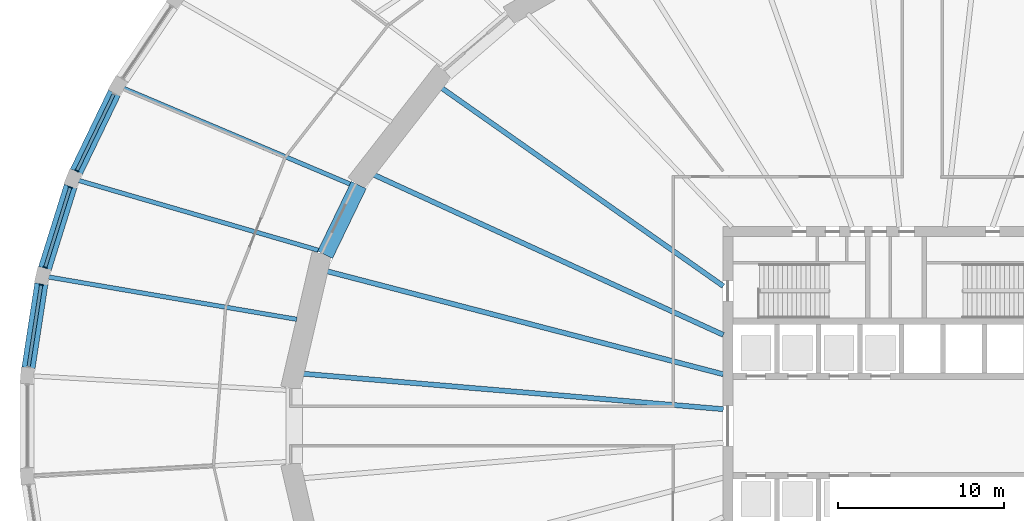
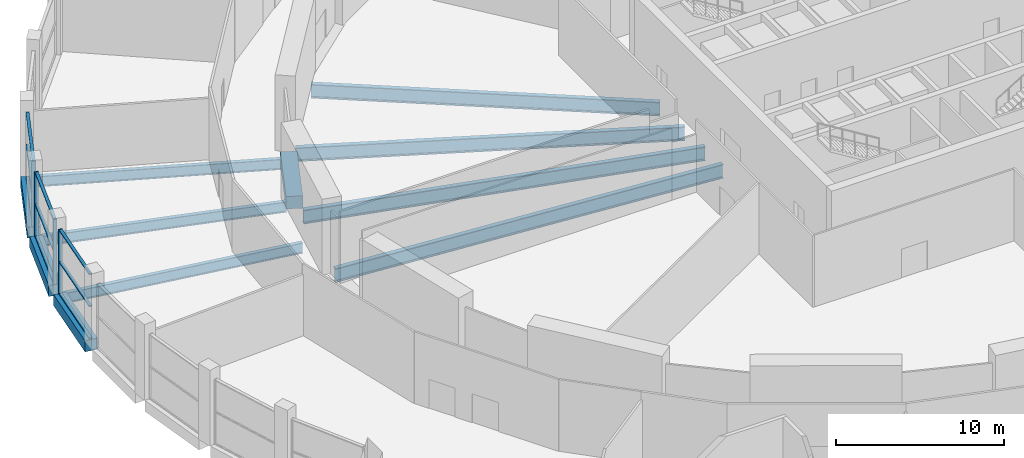
# One storey, part 6 of 26: 13 members, 11 beams, 3 elements without a shape of their own.
"""IFC4 building model written with IfcOpenShell, lengths in metres."""

from ifc_helpers import new_model, si_unit, direction, frame, origin, origin_2d, place, context, subcontext, project, spatial, rectangle, i_section, extrude, material, material_profile, profile_set, type_object, element, aggregate, save


model = new_model("IFC4")

# Units and contexts
model_context = context("Model", 3, precision=1e-05, world=origin(), true_north=direction((0.0, 1.0)))
body_context = subcontext(model_context, "Body", "Model", "MODEL_VIEW")
ifc_project = project(units=[si_unit("LENGTHUNIT", "METRE"), si_unit("AREAUNIT", "SQUARE_METRE"), si_unit("VOLUMEUNIT", "CUBIC_METRE"), si_unit("PLANEANGLEUNIT", "RADIAN"), si_unit("MASSUNIT", "GRAM", prefix="KILO")], contexts=[model_context])

# Site, building, storey
site_placement = place(None, origin())
site = spatial("IfcSite", under=ifc_project, at=site_placement, CompositionType="ELEMENT")
building_placement = place(site_placement, origin())
building = spatial("IfcBuilding", under=site, at=building_placement, Name="Halqa Exchange Tower", CompositionType="ELEMENT")
storey_placement = place(building_placement, frame((0.0, 0.0, 18.0)))
storey = spatial("IfcBuildingStorey", under=building, at=storey_placement, Name="L03", CompositionType="ELEMENT", Elevation=18.0)

# Curtain wall, member
ifc_material_1 = material(Name="Anodised aluminium and clear glass", Category="aluminium")
curtain_wall_type = type_object("IfcCurtainWallType", Name="Exchange hall glazing", PredefinedType="NOTDEFINED", material=ifc_material_1)
curtain_wall_1_placement = place(storey_placement, origin())
curtain_wall_1 = element("IfcCurtainWall", 1, at=curtain_wall_1_placement, inside=storey, type_object=curtain_wall_type, Name="Exchange hall glazing run P21", PredefinedType="NOTDEFINED")
ifc_material_2 = material(Name="Anodised aluminium", Category="aluminium")
ifc_material_profile_1 = material_profile(ifc_material_2, rectangle(XDim=0.25, YDim=0.070068359375, at=origin_2d()), Name="AL 70x250")
ifc_profile_set_1 = profile_set([ifc_material_profile_1], Name="Anodised aluminium")
member_type_1 = type_object("IfcMemberType", Name="Exchange hall glazing mullion 70 x 250", PredefinedType="MULLION", material=ifc_profile_set_1)
member_1_placement = place(storey_placement, frame((-50.9013671875, 15.3642578125, 0.0), z_axis=(0.0, 0.0, 1.0), x_axis=(0.90043534892, -0.434989864727, 0.0)))
member_1 = element("IfcMember", 2, at=member_1_placement, type_object=member_type_1, Name="P21 mullion 2", PredefinedType="MULLION", context=body_context, shape_type="SweptSolid", body=[
    extrude(rectangle(XDim=0.25, YDim=0.070068359375, at=origin_2d()), origin(), (0.0, 0.0, 1.0), 4.699951171875),
])

# Curtain wall, members
curtain_wall_2_placement = place(storey_placement, origin())
curtain_wall_2 = element("IfcCurtainWall", 3, at=curtain_wall_2_placement, inside=storey, type_object=curtain_wall_type, Name="Exchange hall glazing run P22", PredefinedType="NOTDEFINED")
member_2_placement = place(storey_placement, frame((-51.293701171875, 14.3720703125, 0.0), z_axis=(0.0, 0.0, 1.0), x_axis=(0.95447130463, -0.298302746613, 0.0)))
member_2 = element("IfcMember", 4, at=member_2_placement, type_object=member_type_1, Name="P22 mullion 1", PredefinedType="MULLION", context=body_context, shape_type="SweptSolid", body=[
    extrude(rectangle(XDim=0.25, YDim=0.070068359375, at=origin_2d()), origin(), (0.0, 0.0, 1.0), 4.699951171875),
])
member_3_placement = place(storey_placement, frame((-52.802978515625, 9.543212890625, 0.0), z_axis=(0.0, 0.0, 1.0), x_axis=(0.95447130463, -0.298302746613, 0.0)))
member_3 = element("IfcMember", 5, at=member_3_placement, type_object=member_type_1, Name="P22 mullion 2", PredefinedType="MULLION", context=body_context, shape_type="SweptSolid", body=[
    extrude(rectangle(XDim=0.25, YDim=0.070068359375, at=origin_2d()), origin(), (0.0, 0.0, 1.0), 4.699951171875),
])

# Curtain wall, member
curtain_wall_3_placement = place(storey_placement, origin())
curtain_wall_3 = element("IfcCurtainWall", 6, at=curtain_wall_3_placement, inside=storey, type_object=curtain_wall_type, Name="Exchange hall glazing run P23", PredefinedType="NOTDEFINED")
member_4_placement = place(storey_placement, frame((-53.043701171875, 8.50390625, 0.0), z_axis=(0.0, 0.0, 1.0), x_axis=(0.988416304241, -0.151766957898, 0.0)))
member_4 = element("IfcMember", 7, at=member_4_placement, type_object=member_type_1, Name="P23 mullion 1", PredefinedType="MULLION", context=body_context, shape_type="SweptSolid", body=[
    extrude(rectangle(XDim=0.25, YDim=0.070068359375, at=origin_2d()), origin(), (0.0, 0.0, 1.0), 4.699951171875),
])

# Member
ifc_material_profile_2 = material_profile(ifc_material_2, rectangle(XDim=0.199951171875, YDim=0.070068359375, at=origin_2d()), Name="AL 70x200")
ifc_profile_set_2 = profile_set([ifc_material_profile_2], Name="Anodised aluminium")
member_type_2 = type_object("IfcMemberType", Name="Exchange hall glazing transom 70 x 200", PredefinedType="USERDEFINED", material=ifc_profile_set_2)
member_5_placement = place(storey_placement, frame((-48.678955078125, 19.96484375, 0.034912109375), z_axis=(-0.434989893806, -0.900435334872, 0.0), x_axis=(0.900435334872, -0.434989893806, 0.0)))
member_5 = element("IfcMember", 8, at=member_5_placement, type_object=member_type_2, Name="P21 transom 1.1", ObjectType="TRANSOM", PredefinedType="USERDEFINED", context=body_context, shape_type="SweptSolid", body=[
    extrude(rectangle(XDim=0.199951171875, YDim=0.070068359375, at=origin_2d()), origin(), (0.0, 0.0, 1.0), 5.07421875),
])

member_6_placement = place(storey_placement, frame((-48.678955078125, 19.96484375, 2.35009765625), z_axis=(-0.434989893806, -0.900435334872, 0.0), x_axis=(0.900435334872, -0.434989893806, 0.0)))
member_6 = element("IfcMember", 9, at=member_6_placement, type_object=member_type_2, Name="P21 transom 1.2", ObjectType="TRANSOM", PredefinedType="USERDEFINED", context=body_context, shape_type="SweptSolid", body=[
    extrude(rectangle(XDim=0.199951171875, YDim=0.070068359375, at=origin_2d()), origin(), (0.0, 0.0, 1.0), 5.07421875),
])

member_7_placement = place(storey_placement, frame((-48.678955078125, 19.96484375, 4.6650390625), z_axis=(-0.434989893806, -0.900435334872, 0.0), x_axis=(0.900435334872, -0.434989893806, 0.0)))
member_7 = element("IfcMember", 10, at=member_7_placement, type_object=member_type_2, Name="P21 transom 1.3", ObjectType="TRANSOM", PredefinedType="USERDEFINED", context=body_context, shape_type="SweptSolid", body=[
    extrude(rectangle(XDim=0.199951171875, YDim=0.070068359375, at=origin_2d()), origin(), (0.0, 0.0, 1.0), 5.07421875),
])

aggregate(curtain_wall_1, [member_1, member_5, member_6, member_7])

member_8_placement = place(storey_placement, frame((-51.30419921875, 14.338623046875, 0.034912109375), z_axis=(-0.298305642444, -0.954470399586, 0.0), x_axis=(0.954470399586, -0.298305642444, 0.0)))
member_8 = element("IfcMember", 11, at=member_8_placement, type_object=member_type_2, Name="P22 transom 1.1", ObjectType="TRANSOM", PredefinedType="USERDEFINED", context=body_context, shape_type="SweptSolid", body=[
    extrude(rectangle(XDim=0.199951171875, YDim=0.070068359375, at=origin_2d()), origin(), (0.0, 0.0, 1.0), 4.989013671875),
])

member_9_placement = place(storey_placement, frame((-51.30419921875, 14.338623046875, 2.35009765625), z_axis=(-0.298305642444, -0.954470399586, 0.0), x_axis=(0.954470399586, -0.298305642444, 0.0)))
member_9 = element("IfcMember", 12, at=member_9_placement, type_object=member_type_2, Name="P22 transom 1.2", ObjectType="TRANSOM", PredefinedType="USERDEFINED", context=body_context, shape_type="SweptSolid", body=[
    extrude(rectangle(XDim=0.199951171875, YDim=0.070068359375, at=origin_2d()), origin(), (0.0, 0.0, 1.0), 4.989013671875),
])

member_10_placement = place(storey_placement, frame((-51.30419921875, 14.338623046875, 4.6650390625), z_axis=(-0.298305642444, -0.954470399586, 0.0), x_axis=(0.954470399586, -0.298305642444, 0.0)))
member_10 = element("IfcMember", 13, at=member_10_placement, type_object=member_type_2, Name="P22 transom 1.3", ObjectType="TRANSOM", PredefinedType="USERDEFINED", context=body_context, shape_type="SweptSolid", body=[
    extrude(rectangle(XDim=0.199951171875, YDim=0.070068359375, at=origin_2d()), origin(), (0.0, 0.0, 1.0), 4.989013671875),
])

aggregate(curtain_wall_2, [member_2, member_3, member_8, member_9, member_10])

member_11_placement = place(storey_placement, frame((-53.048828125, 8.46923828125, 0.034912109375), z_axis=(-0.151782076139, -0.988413982784, 0.0), x_axis=(0.988413982784, -0.151782076139, 0.0)))
member_11 = element("IfcMember", 14, at=member_11_placement, type_object=member_type_2, Name="P23 transom 1.1", ObjectType="TRANSOM", PredefinedType="USERDEFINED", context=body_context, shape_type="SweptSolid", body=[
    extrude(rectangle(XDim=0.199951171875, YDim=0.070068359375, at=origin_2d()), origin(), (0.0, 0.0, 1.0), 4.934814453125),
])

member_12_placement = place(storey_placement, frame((-53.048828125, 8.46923828125, 2.35009765625), z_axis=(-0.151782076139, -0.988413982784, 0.0), x_axis=(0.988413982784, -0.151782076139, 0.0)))
member_12 = element("IfcMember", 15, at=member_12_placement, type_object=member_type_2, Name="P23 transom 1.2", ObjectType="TRANSOM", PredefinedType="USERDEFINED", context=body_context, shape_type="SweptSolid", body=[
    extrude(rectangle(XDim=0.199951171875, YDim=0.070068359375, at=origin_2d()), origin(), (0.0, 0.0, 1.0), 4.934814453125),
])

member_13_placement = place(storey_placement, frame((-53.048828125, 8.46923828125, 4.6650390625), z_axis=(-0.151782076139, -0.988413982784, 0.0), x_axis=(0.988413982784, -0.151782076139, 0.0)))
member_13 = element("IfcMember", 16, at=member_13_placement, type_object=member_type_2, Name="P23 transom 1.3", ObjectType="TRANSOM", PredefinedType="USERDEFINED", context=body_context, shape_type="SweptSolid", body=[
    extrude(rectangle(XDim=0.199951171875, YDim=0.070068359375, at=origin_2d()), origin(), (0.0, 0.0, 1.0), 4.934814453125),
])

aggregate(curtain_wall_3, [member_4, member_11, member_12, member_13])

# Beams
ifc_material_3 = material(Name="Steel S355", Category="steel")
ifc_material_profile_3 = material_profile(ifc_material_3, i_section(OverallWidth=0.300048828125, OverallDepth=1.0, WebThickness=0.01904296875, FlangeThickness=0.035888671875, FilletRadius=0.030029296875, at=origin_2d()), Name="HEB 1000")
ifc_profile_set_3 = profile_set([ifc_material_profile_3], Name="Steel S355")
beam_type_1 = type_object("IfcBeamType", Name="Floor beam HEB 1000", PredefinedType="BEAM", material=ifc_profile_set_3)
beam_1_placement = place(storey_placement, frame((-11.972412109375, 8.421875, -0.85009765625), z_axis=(-0.817909911418, 0.575346310325, 0.0), x_axis=(-0.575346310325, -0.817909911418, 0.0)))
element("IfcBeam", 17, at=beam_1_placement, inside=storey, type_object=beam_type_1, Name="Radial beam 13", PredefinedType="BEAM", context=body_context, shape_type="SweptSolid", body=[
    extrude(i_section(OverallWidth=0.300048828125, OverallDepth=1.0, WebThickness=0.01904296875, FlangeThickness=0.035888671875, FilletRadius=0.030029296875, at=origin_2d()), origin(), (0.0, 0.0, 1.0), 20.804443359375),
])
beam_2_placement = place(storey_placement, frame((-11.972412109375, 5.485107421875, -0.85009765625), z_axis=(-0.909128229117, 0.416516341843, 0.0), x_axis=(-0.416516341843, -0.909128229117, 0.0)))
element("IfcBeam", 18, at=beam_2_placement, inside=storey, type_object=beam_type_1, Name="Radial beam 14", PredefinedType="BEAM", context=body_context, shape_type="SweptSolid", body=[
    extrude(i_section(OverallWidth=0.300048828125, OverallDepth=1.0, WebThickness=0.01904296875, FlangeThickness=0.035888671875, FilletRadius=0.030029296875, at=origin_2d()), origin(), (0.0, 0.0, 1.0), 23.209228515625),
])
ifc_material_profile_4 = material_profile(ifc_material_3, i_section(OverallWidth=0.302001953125, OverallDepth=1.008056640625, WebThickness=0.02099609375, FlangeThickness=0.0400390625, FilletRadius=0.030029296875, at=origin_2d()), Name="HEM 1000")
ifc_profile_set_4 = profile_set([ifc_material_profile_4], Name="Steel S355")
beam_type_2 = type_object("IfcBeamType", Name="Floor beam HEM 1000", PredefinedType="BEAM", material=ifc_profile_set_4)
beam_3_placement = place(storey_placement, frame((-11.971435546875, 3.11279296875, -0.85400390625), z_axis=(-0.967821064299, 0.251639399735, 0.0), x_axis=(-0.251639399735, -0.967821064299, 0.0)))
element("IfcBeam", 19, at=beam_3_placement, inside=storey, type_object=beam_type_2, Name="Radial beam 15", PredefinedType="BEAM", context=body_context, shape_type="SweptSolid", body=[
    extrude(i_section(OverallWidth=0.302001953125, OverallDepth=1.008056640625, WebThickness=0.02099609375, FlangeThickness=0.0400390625, FilletRadius=0.030029296875, at=origin_2d()), origin(), (0.0, 0.0, 1.0), 24.7314453125),
])
beam_4_placement = place(storey_placement, frame((-11.972412109375, 1.0107421875, -0.85400390625), z_axis=(-0.996455167327, 0.084125498561, 0.0), x_axis=(-0.084125498561, -0.996455167327, 0.0)))
element("IfcBeam", 20, at=beam_4_placement, inside=storey, type_object=beam_type_2, Name="Radial beam 16", PredefinedType="BEAM", context=body_context, shape_type="SweptSolid", body=[
    extrude(i_section(OverallWidth=0.302001953125, OverallDepth=1.008056640625, WebThickness=0.02099609375, FlangeThickness=0.0400390625, FilletRadius=0.030029296875, at=origin_2d()), origin(), (0.0, 0.0, 1.0), 25.460205078125),
])
ifc_material_profile_5 = material_profile(ifc_material_3, i_section(OverallWidth=0.264892578125, OverallDepth=0.7529296875, WebThickness=0.01318359375, FlangeThickness=0.01708984375, FilletRadius=0.01708984375, at=origin_2d()), Name="IPE 750x147")
ifc_profile_set_5 = profile_set([ifc_material_profile_5], Name="Steel S355")
beam_type_3 = type_object("IfcBeamType", Name="Floor beam IPE 750x147", PredefinedType="BEAM", material=ifc_profile_set_5)
beam_5_placement = place(storey_placement, frame((-34.423583984375, 14.555419921875, -0.7265625), z_axis=(-0.921054684963, 0.389433264254, 0.0), x_axis=(-0.389433264254, -0.921054684963, 0.0)))
element("IfcBeam", 21, at=beam_5_placement, inside=storey, type_object=beam_type_3, Name="Radial beam 21", PredefinedType="BEAM", context=body_context, shape_type="SweptSolid", body=[
    extrude(i_section(OverallWidth=0.264892578125, OverallDepth=0.7529296875, WebThickness=0.01318359375, FlangeThickness=0.01708984375, FilletRadius=0.01708984375, at=origin_2d()), origin(), (0.0, 0.0, 1.0), 14.83349609375),
])
beam_6_placement = place(storey_placement, frame((-36.34521484375, 10.578369140625, -0.7265625), z_axis=(-0.960162493503, 0.279442276812, 0.0), x_axis=(-0.279442276812, -0.960162493503, 0.0)))
element("IfcBeam", 22, at=beam_6_placement, inside=storey, type_object=beam_type_3, Name="Radial beam 22", PredefinedType="BEAM", context=body_context, shape_type="SweptSolid", body=[
    extrude(i_section(OverallWidth=0.264892578125, OverallDepth=0.7529296875, WebThickness=0.01318359375, FlangeThickness=0.01708984375, FilletRadius=0.01708984375, at=origin_2d()), origin(), (0.0, 0.0, 1.0), 15.02880859375),
])
beam_7_placement = place(storey_placement, frame((-37.654296875, 6.421875, -0.7265625), z_axis=(-0.985764762639, 0.168130403968, 0.0), x_axis=(-0.168130403968, -0.985764762639, 0.0)))
element("IfcBeam", 23, at=beam_7_placement, inside=storey, type_object=beam_type_3, Name="Radial beam 23", PredefinedType="BEAM", context=body_context, shape_type="SweptSolid", body=[
    extrude(i_section(OverallWidth=0.264892578125, OverallDepth=0.7529296875, WebThickness=0.01318359375, FlangeThickness=0.01708984375, FilletRadius=0.01708984375, at=origin_2d()), origin(), (0.0, 0.0, 1.0), 15.156982421875),
])
ifc_material_4 = material(Name="Concrete C60/75", Category="concrete")
ifc_material_profile_6 = material_profile(ifc_material_4, rectangle(XDim=0.800048828125, YDim=0.800048828125, at=origin_2d()), Name="800 x 800")
ifc_profile_set_6 = profile_set([ifc_material_profile_6], Name="Concrete C60/75")
beam_type_4 = type_object("IfcBeamType", Name="RC podium edge beam 800 x 800 C60/75", PredefinedType="SPANDREL", material=ifc_profile_set_6)
beam_8_placement = place(storey_placement, frame((-48.636962890625, 20.052001953125, -0.39990234375), z_axis=(-0.43497328232, -0.9004433595, 0.0), x_axis=(0.9004433595, -0.43497328232, 0.0)))
element("IfcBeam", 24, at=beam_8_placement, inside=storey, type_object=beam_type_4, Name="Podium edge beam 21", PredefinedType="SPANDREL", context=body_context, shape_type="SweptSolid", body=[
    extrude(rectangle(XDim=0.800048828125, YDim=0.800048828125, at=origin_2d()), origin(), (0.0, 0.0, 1.0), 5.267578125),
])
beam_9_placement = place(storey_placement, frame((-51.275390625, 14.430419921875, -0.39990234375), z_axis=(-0.298331338153, -0.954462368392, 0.0), x_axis=(0.954462368392, -0.298331338153, 0.0)))
element("IfcBeam", 25, at=beam_9_placement, inside=storey, type_object=beam_type_4, Name="Podium edge beam 22", PredefinedType="SPANDREL", context=body_context, shape_type="SweptSolid", body=[
    extrude(rectangle(XDim=0.800048828125, YDim=0.800048828125, at=origin_2d()), origin(), (0.0, 0.0, 1.0), 5.180908203125),
])
beam_10_placement = place(storey_placement, frame((-53.0341796875, 8.56591796875, -0.39990234375), z_axis=(-0.151767505705, -0.988416220128, 0.0), x_axis=(0.988416220128, -0.151767505705, 0.0)))
element("IfcBeam", 26, at=beam_10_placement, inside=storey, type_object=beam_type_4, Name="Podium edge beam 23", PredefinedType="SPANDREL", context=body_context, shape_type="SweptSolid", body=[
    extrude(rectangle(XDim=0.800048828125, YDim=0.800048828125, at=origin_2d()), origin(), (0.0, 0.0, 1.0), 5.1298828125),
])
ifc_material_profile_7 = material_profile(ifc_material_4, rectangle(XDim=1.0, YDim=0.89990234375, at=origin_2d()), Name="1000 x 900")
ifc_profile_set_7 = profile_set([ifc_material_profile_7], Name="Concrete C60/75")
beam_type_5 = type_object("IfcBeamType", Name="RC spandrel beam 1000 x 900 C60/75", PredefinedType="SPANDREL", material=ifc_profile_set_7)
beam_11_placement = place(storey_placement, frame((-33.923095703125, 14.505615234375, -0.449951171875), z_axis=(-0.435068215878, -0.900397494184, 0.0), x_axis=(0.900397494184, -0.435068215878, 0.0)))
element("IfcBeam", 27, at=beam_11_placement, inside=storey, type_object=beam_type_5, Name="Spandrel 14", PredefinedType="SPANDREL", context=body_context, shape_type="SweptSolid", body=[
    extrude(rectangle(XDim=1.0, YDim=0.89990234375, at=origin_2d()), origin(), (0.0, 0.0, 1.0), 4.6630859375),
])

save(model, "model.ifc")
